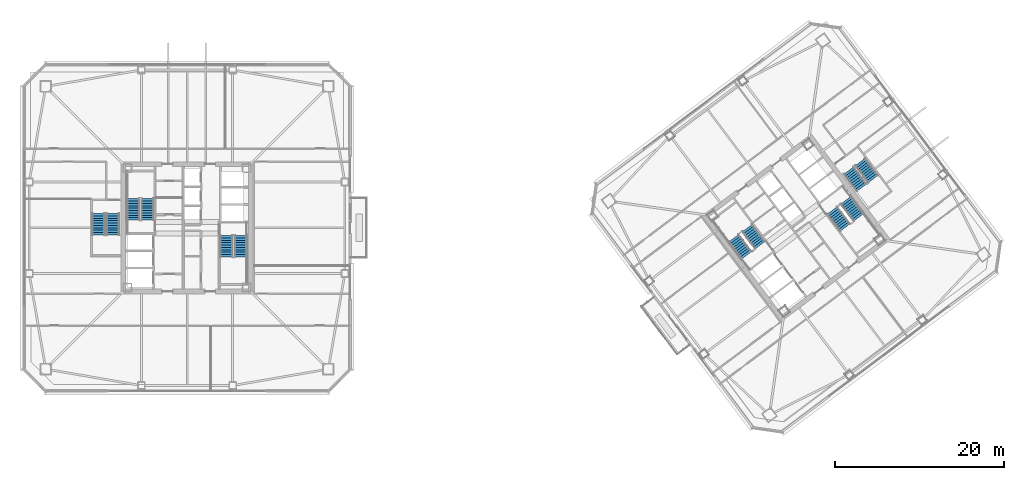
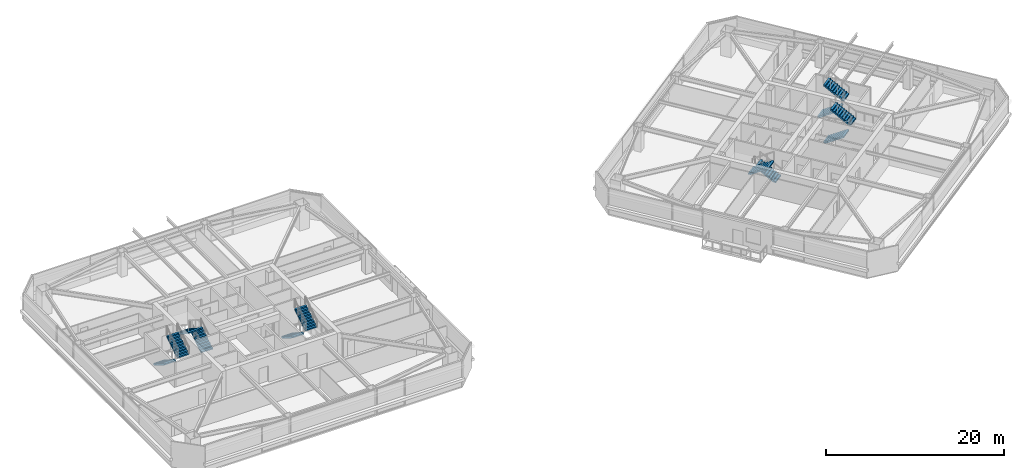
# One storey, part 34 of 40: 12 stair flights, 6 elements without a shape of their own.
"""IFC4 building model written with IfcOpenShell, lengths in metres."""

import ifcopenshell
import ifcopenshell.guid

model = None  # the IFC model being written
_history = None  # IfcOwnerHistory: only IFC2X3 demands one
_inside = {}  # id of a spatial element -> (the spatial element, [elements in it])
_under = {}  # id of a project, library or spatial element -> (it, [spatial elements below it])
_declared = {}  # id of a project -> (the project, [libraries it declares])
_typed = {}  # id of a type object -> (the type object, [elements of that type])
_made_of = {}  # id of a material, layer set ... -> (it, [elements and type objects made of it])


def new_model(schema):
    """Start an empty IFC model of exactly this schema.

    Asked for "IFC4X3", IfcOpenShell would pick the latest addendum, in which some entities
    have other attributes; the version numbers below select the first issue.
    IFC2X3 requires an IfcOwnerHistory on every rooted entity: one is made here for all.
    """
    global model, _history
    if schema == "IFC4X3":
        model = ifcopenshell.file(schema_version=(4, 3, 0, 0))
    else:
        model = ifcopenshell.file(schema=schema)
    _inside.clear()
    _under.clear()
    _declared.clear()
    _typed.clear()
    _made_of.clear()
    _history = None
    if model.schema == "IFC2X3":
        org = make("IfcOrganization", Name="unknown")
        user = make(
            "IfcPersonAndOrganization",
            ThePerson=make("IfcPerson", FamilyName="unknown"),
            TheOrganization=org,
        )
        app = make(
            "IfcApplication",
            ApplicationDeveloper=org,
            Version="unknown",
            ApplicationFullName="unknown",
            ApplicationIdentifier="unknown",
        )
        _history = make(
            "IfcOwnerHistory",
            OwningUser=user,
            OwningApplication=app,
            ChangeAction="ADDED",
            CreationDate=0,
        )
    return model


def make(cls, **values):
    """One entity of the class cls with the attributes given. An attribute that is None is left unset."""
    return model.create_entity(
        cls, **{name: value for name, value in values.items() if value is not None}
    )


def rooted(cls, **values):
    """An entity with a GlobalId (a new one), such as an element, a storey or a relation."""
    return make(cls, GlobalId=ifcopenshell.guid.new(), OwnerHistory=_history, **values)


def si_unit(unit_type, name, prefix=None):
    """IfcSIUnit, for example si_unit("LENGTHUNIT", "METRE", prefix="MILLI")."""
    return make("IfcSIUnit", UnitType=unit_type, Prefix=prefix, Name=name)


def assignment(units):
    """IfcUnitAssignment: the units of a project."""
    return None if units is None else make("IfcUnitAssignment", Units=units)


def point(xyz):
    """IfcCartesianPoint."""
    return None if xyz is None else make("IfcCartesianPoint", Coordinates=xyz)


def direction(xyz):
    """IfcDirection."""
    return None if xyz is None else make("IfcDirection", DirectionRatios=xyz)


def frame(location, z_axis=None, x_axis=None):
    """IfcAxis2Placement3D, a coordinate frame: its origin and axes. An axis left out is left unset."""
    return make(
        "IfcAxis2Placement3D",
        Location=point(location),
        Axis=direction(z_axis),
        RefDirection=direction(x_axis),
    )


def origin():
    """The frame at (0, 0, 0) with its axes left unset."""
    return frame((0.0, 0.0, 0.0))


def place(relative_to, where):
    """IfcLocalPlacement: puts the frame where relative to a parent placement (None: the world)."""
    return make(
        "IfcLocalPlacement", PlacementRelTo=relative_to, RelativePlacement=where
    )


def context(
    kind, dimensions, precision=None, world=None, true_north=None, identifier=None
):
    """IfcGeometricRepresentationContext, for example the 3D "Model" context."""
    return make(
        "IfcGeometricRepresentationContext",
        ContextIdentifier=identifier,
        ContextType=kind,
        CoordinateSpaceDimension=dimensions,
        Precision=precision,
        WorldCoordinateSystem=world,
        TrueNorth=true_north,
    )


def subcontext(parent, identifier, kind, view, scale=None):
    """IfcGeometricRepresentationSubContext, for example "Body" below "Model"."""
    return make(
        "IfcGeometricRepresentationSubContext",
        ContextIdentifier=identifier,
        ContextType=kind,
        ParentContext=parent,
        TargetScale=scale,
        TargetView=view,
    )


def project(units=None, contexts=None):
    """IfcProject with its units and contexts."""
    return rooted(
        "IfcProject",
        Name="project",
        RepresentationContexts=contexts,
        UnitsInContext=assignment(units),
    )


def spatial(cls, under=None, at=None, **own):
    """A site, building, storey or space (cls), placed at a placement, below another one or the project."""
    s = rooted(cls, ObjectPlacement=at, **own)
    if under is not None:
        _under.setdefault(under.id(), (under, []))[1].append(s)
    return s


def polyline(points):
    """IfcPolyline through the points."""
    return make("IfcPolyline", Points=[point(p) for p in points])


def outline(outer, holes=None, kind="AREA"):
    """IfcArbitraryClosedProfileDef: a profile drawn as a closed curve; with holes, ...WithVoids."""
    if holes is None:
        return make("IfcArbitraryClosedProfileDef", ProfileType=kind, OuterCurve=outer)
    return make(
        "IfcArbitraryProfileDefWithVoids",
        ProfileType=kind,
        OuterCurve=outer,
        InnerCurves=holes,
    )


def extrude(swept, where, along, depth):
    """IfcExtrudedAreaSolid: the profile swept, set in the frame where, extruded along a direction by depth."""
    return make(
        "IfcExtrudedAreaSolid",
        SweptArea=swept,
        Position=where,
        ExtrudedDirection=direction(along),
        Depth=depth,
    )


def shape(context_of_items, identifier, shape_type, items):
    """IfcShapeRepresentation: the items that make up one representation, for example the "Body"."""
    return make(
        "IfcShapeRepresentation",
        ContextOfItems=context_of_items,
        RepresentationIdentifier=identifier,
        RepresentationType=shape_type,
        Items=items,
    )


def material(Name=None, Category=None):
    """IfcMaterial."""
    return make("IfcMaterial", Name=Name, Category=Category)


def made_of(thing, what):
    """Note that an element or type object is made of a material, layer set ...; save() writes the relation."""
    if what is not None:
        _made_of.setdefault(what.id(), (what, []))[1].append(thing)
    return thing


def type_object(cls, material=None, **own):
    """A type object (cls), such as IfcWallType, which elements share."""
    return made_of(rooted(cls, **own), material)


def element(
    cls,
    number,
    at=None,
    inside=None,
    cuts=None,
    type_object=None,
    material=None,
    context=None,
    identifier="Body",
    shape_type=None,
    held_by="IfcProductDefinitionShape",
    body=None,
    shapes=None,
    **own,
):
    """One element of the class cls, such as IfcWall. Its Tag is "e" and its number.

    at: its placement. inside: the storey or other place that contains it. cuts: it is an
    opening in that element (IfcRelVoidsElement). A single representation is given by context,
    identifier, shape_type and body (its items); several are given by shapes. held_by: the class
    of the entity that holds the representations. save() writes the other relations.
    """
    e = rooted(cls, Tag="e%d" % number, ObjectPlacement=at, **own)
    if body is not None:
        shapes = [shape(context, identifier, shape_type, body)]
    if shapes is not None:
        e.Representation = make(held_by, Representations=shapes)
    if inside is not None:
        _inside.setdefault(inside.id(), (inside, []))[1].append(e)
    if cuts is not None:
        rooted(
            "IfcRelVoidsElement", RelatingBuildingElement=cuts, RelatedOpeningElement=e
        )
    if type_object is not None:
        _typed.setdefault(type_object.id(), (type_object, []))[1].append(e)
    return made_of(e, material)


def aggregate(whole, parts):
    """IfcRelAggregates: a whole, such as a stair, and the parts it consists of."""
    return rooted("IfcRelAggregates", RelatingObject=whole, RelatedObjects=parts)


def save(model, path):
    """Write the relations noted so far, then the file.

    IfcRelAggregates (storeys below a building ...), IfcRelContainedInSpatialStructure (elements
    in a storey), IfcRelDefinesByType, IfcRelAssociatesMaterial and IfcRelDeclares: one each for
    every whole, place, type object, material and project.
    """
    for whole, parts in _under.values():
        aggregate(whole, parts)
    for where, things in _inside.values():
        rooted(
            "IfcRelContainedInSpatialStructure",
            RelatedElements=things,
            RelatingStructure=where,
        )
    for kind, things in _typed.values():
        rooted("IfcRelDefinesByType", RelatedObjects=things, RelatingType=kind)
    for what, things in _made_of.values():
        rooted("IfcRelAssociatesMaterial", RelatedObjects=things, RelatingMaterial=what)
    for by, libraries in _declared.values():
        rooted("IfcRelDeclares", RelatingContext=by, RelatedDefinitions=libraries)
    model.write(path)


model = new_model("IFC4")

# Units and contexts
model_context = context("Model", 3, precision=1e-05, world=origin(), true_north=direction((0.0, 1.0)))
body_context = subcontext(model_context, "Body", "Model", "MODEL_VIEW")
ifc_project = project(units=[si_unit("LENGTHUNIT", "METRE"), si_unit("AREAUNIT", "SQUARE_METRE"), si_unit("VOLUMEUNIT", "CUBIC_METRE"), si_unit("PLANEANGLEUNIT", "RADIAN"), si_unit("MASSUNIT", "GRAM", prefix="KILO")], contexts=[model_context])

# Site, building, storey
site_placement = place(None, origin())
site = spatial("IfcSite", under=ifc_project, at=site_placement, CompositionType="ELEMENT")
building_placement = place(site_placement, origin())
building = spatial("IfcBuilding", under=site, at=building_placement, Name="Tashvorn Skyway Center", CompositionType="ELEMENT")
storey_placement = place(building_placement, frame((0.0, 0.0, 142.800048828125)))
storey = spatial("IfcBuildingStorey", under=building, at=storey_placement, Name="L38", CompositionType="ELEMENT", Elevation=142.800048828125)

# Stair, stair flights
ifc_material = material(Name="Concrete C40/50", Category="concrete")
stair_type = type_object("IfcStairType", Name="STAIR-CORE-1500", PredefinedType="HALF_TURN_STAIR", material=ifc_material)
stair_1_placement = place(storey_placement, origin())
stair_1 = element("IfcStair", 1, at=stair_1_placement, inside=storey, type_object=stair_type, Name="L38 Tower 1 Exit Stair 1", PredefinedType="HALF_TURN_STAIR")
stair_flight_type = type_object("IfcStairFlightType", Name="SFLIGHT-1500", PredefinedType="STRAIGHT", material=ifc_material)
stair_flight_1_placement = place(storey_placement, frame((37.35009765625, 32.919921875, 0.0), z_axis=(0.0, 0.0, 1.0), x_axis=(0.0, 1.0, 0.0)))
stair_flight_1 = element("IfcStairFlight", 2, at=stair_flight_1_placement, type_object=stair_flight_type, Name="ST-T1-1 flight 1", NumberOfRisers=10, NumberOfTreads=9, PredefinedType="STRAIGHT", RiserHeight=0.1775, TreadLength=0.28, context=body_context, shape_type="SweptSolid", body=[
    extrude(outline(polyline([(0.0, 0.0), (0.0, 0.177490234375), (0.280029296875, 0.177490234375), (0.280029296875, 0.35498046875), (0.56005859375, 0.35498046875), (0.56005859375, 0.532470703125), (0.840087890625, 0.532470703125), (0.840087890625, 0.7099609375), (1.1201171875, 0.7099609375), (1.1201171875, 0.887451171875), (1.39990234375, 0.887451171875), (1.39990234375, 1.06494140625), (1.679931640625, 1.06494140625), (1.679931640625, 1.242431640625), (1.9599609375, 1.242431640625), (1.9599609375, 1.419921875), (2.239990234375, 1.419921875), (2.239990234375, 1.597412109375), (2.52001953125, 1.597412109375), (2.52001953125, 1.77490234375), (2.52001953125, 1.419921875), (0.280029296875, 0.0), (0.0, 0.0)])), frame((0.0, 0.75, 0.0), z_axis=(0.0, -1.0, 0.0), x_axis=(1.0, 0.0, 0.0)), (0.0, 0.0, 1.0), 1.5),
])
stair_flight_2_placement = place(storey_placement, frame((35.64990234375, 35.43994140625, 1.77490234375), z_axis=(0.0, 0.0, 1.0), x_axis=(0.0, -1.0, 0.0)))
stair_flight_2 = element("IfcStairFlight", 3, at=stair_flight_2_placement, type_object=stair_flight_type, Name="ST-T1-1 flight 2", NumberOfRisers=10, NumberOfTreads=9, PredefinedType="STRAIGHT", RiserHeight=0.1775, TreadLength=0.28, context=body_context, shape_type="SweptSolid", body=[
    extrude(outline(polyline([(0.0, 0.0), (0.0, 0.177490234375), (0.280029296875, 0.177490234375), (0.280029296875, 0.35498046875), (0.56005859375, 0.35498046875), (0.56005859375, 0.532470703125), (0.840087890625, 0.532470703125), (0.840087890625, 0.7099609375), (1.1201171875, 0.7099609375), (1.1201171875, 0.887451171875), (1.39990234375, 0.887451171875), (1.39990234375, 1.06494140625), (1.679931640625, 1.06494140625), (1.679931640625, 1.242431640625), (1.9599609375, 1.242431640625), (1.9599609375, 1.419921875), (2.239990234375, 1.419921875), (2.239990234375, 1.597412109375), (2.52001953125, 1.597412109375), (2.52001953125, 1.77490234375), (2.52001953125, 1.419921875), (0.280029296875, 0.0), (0.0, 0.0)])), frame((0.0, 0.75, 0.0), z_axis=(0.0, -1.0, 0.0), x_axis=(1.0, 0.0, 0.0)), (0.0, 0.0, 1.0), 1.5),
])
aggregate(stair_1, [stair_flight_1, stair_flight_2])

stair_2_placement = place(storey_placement, origin())
stair_2 = element("IfcStair", 4, at=stair_2_placement, inside=storey, type_object=stair_type, Name="L38 Tower 1 Exit Stair 2", PredefinedType="HALF_TURN_STAIR")
stair_flight_3_placement = place(storey_placement, frame((46.64990234375, 31.080078125, 0.0), z_axis=(0.0, 0.0, 1.0), x_axis=(0.0, -1.0, 0.0)))
stair_flight_3 = element("IfcStairFlight", 5, at=stair_flight_3_placement, type_object=stair_flight_type, Name="ST-T1-2 flight 1", NumberOfRisers=10, NumberOfTreads=9, PredefinedType="STRAIGHT", RiserHeight=0.1775, TreadLength=0.28, context=body_context, shape_type="SweptSolid", body=[
    extrude(outline(polyline([(0.0, 0.0), (0.0, 0.177490234375), (0.280029296875, 0.177490234375), (0.280029296875, 0.35498046875), (0.56005859375, 0.35498046875), (0.56005859375, 0.532470703125), (0.840087890625, 0.532470703125), (0.840087890625, 0.7099609375), (1.1201171875, 0.7099609375), (1.1201171875, 0.887451171875), (1.39990234375, 0.887451171875), (1.39990234375, 1.06494140625), (1.679931640625, 1.06494140625), (1.679931640625, 1.242431640625), (1.9599609375, 1.242431640625), (1.9599609375, 1.419921875), (2.239990234375, 1.419921875), (2.239990234375, 1.597412109375), (2.52001953125, 1.597412109375), (2.52001953125, 1.77490234375), (2.52001953125, 1.419921875), (0.280029296875, 0.0), (0.0, 0.0)])), frame((0.0, 0.75, 0.0), z_axis=(0.0, -1.0, 0.0), x_axis=(1.0, 0.0, 0.0)), (0.0, 0.0, 1.0), 1.5),
])
stair_flight_4_placement = place(storey_placement, frame((48.35009765625, 28.56005859375, 1.77490234375), z_axis=(0.0, 0.0, 1.0), x_axis=(0.0, 1.0, 0.0)))
stair_flight_4 = element("IfcStairFlight", 6, at=stair_flight_4_placement, type_object=stair_flight_type, Name="ST-T1-2 flight 2", NumberOfRisers=10, NumberOfTreads=9, PredefinedType="STRAIGHT", RiserHeight=0.1775, TreadLength=0.28, context=body_context, shape_type="SweptSolid", body=[
    extrude(outline(polyline([(0.0, 0.0), (0.0, 0.177490234375), (0.280029296875, 0.177490234375), (0.280029296875, 0.35498046875), (0.56005859375, 0.35498046875), (0.56005859375, 0.532470703125), (0.840087890625, 0.532470703125), (0.840087890625, 0.7099609375), (1.1201171875, 0.7099609375), (1.1201171875, 0.887451171875), (1.39990234375, 0.887451171875), (1.39990234375, 1.06494140625), (1.679931640625, 1.06494140625), (1.679931640625, 1.242431640625), (1.9599609375, 1.242431640625), (1.9599609375, 1.419921875), (2.239990234375, 1.419921875), (2.239990234375, 1.597412109375), (2.52001953125, 1.597412109375), (2.52001953125, 1.77490234375), (2.52001953125, 1.419921875), (0.280029296875, 0.0), (0.0, 0.0)])), frame((0.0, 0.75, 0.0), z_axis=(0.0, -1.0, 0.0), x_axis=(1.0, 0.0, 0.0)), (0.0, 0.0, 1.0), 1.5),
])
aggregate(stair_2, [stair_flight_3, stair_flight_4])

stair_3_placement = place(storey_placement, origin())
stair_3 = element("IfcStair", 7, at=stair_3_placement, inside=storey, type_object=stair_type, Name="L38 Tower 2 Exit Stair 1", PredefinedType="HALF_TURN_STAIR")
stair_flight_5_placement = place(storey_placement, frame((109.72802734375, 29.946044921875, 0.0), z_axis=(0.0, 0.0, 1.0), x_axis=(-0.600000004945, 0.799999996291, 0.0)))
stair_flight_5 = element("IfcStairFlight", 8, at=stair_flight_5_placement, type_object=stair_flight_type, Name="ST-T2-1 flight 1", NumberOfRisers=10, NumberOfTreads=9, PredefinedType="STRAIGHT", RiserHeight=0.1775, TreadLength=0.28, context=body_context, shape_type="SweptSolid", body=[
    extrude(outline(polyline([(0.0, 0.0), (0.0, 0.177490234375), (0.280029296875, 0.177490234375), (0.280029296875, 0.35498046875), (0.56005859375, 0.35498046875), (0.56005859375, 0.532470703125), (0.840087890625, 0.532470703125), (0.840087890625, 0.7099609375), (1.1201171875, 0.7099609375), (1.1201171875, 0.887451171875), (1.39990234375, 0.887451171875), (1.39990234375, 1.06494140625), (1.679931640625, 1.06494140625), (1.679931640625, 1.242431640625), (1.9599609375, 1.242431640625), (1.9599609375, 1.419921875), (2.239990234375, 1.419921875), (2.239990234375, 1.597412109375), (2.52001953125, 1.597412109375), (2.52001953125, 1.77490234375), (2.52001953125, 1.419921875), (0.280029296875, 0.0), (0.0, 0.0)])), frame((0.0, 0.75, 0.0), z_axis=(0.0, -1.0, 0.0), x_axis=(1.0, 0.0, 0.0)), (0.0, 0.0, 1.0), 1.5),
])
stair_flight_6_placement = place(storey_placement, frame((106.632080078125, 30.77392578125, 1.77490234375), z_axis=(0.0, 0.0, 1.0), x_axis=(0.600000004945, -0.799999996291, 0.0)))
stair_flight_6 = element("IfcStairFlight", 9, at=stair_flight_6_placement, type_object=stair_flight_type, Name="ST-T2-1 flight 2", NumberOfRisers=10, NumberOfTreads=9, PredefinedType="STRAIGHT", RiserHeight=0.1775, TreadLength=0.28, context=body_context, shape_type="SweptSolid", body=[
    extrude(outline(polyline([(0.0, 0.0), (0.0, 0.177490234375), (0.280029296875, 0.177490234375), (0.280029296875, 0.35498046875), (0.56005859375, 0.35498046875), (0.56005859375, 0.532470703125), (0.840087890625, 0.532470703125), (0.840087890625, 0.7099609375), (1.1201171875, 0.7099609375), (1.1201171875, 0.887451171875), (1.39990234375, 0.887451171875), (1.39990234375, 1.06494140625), (1.679931640625, 1.06494140625), (1.679931640625, 1.242431640625), (1.9599609375, 1.242431640625), (1.9599609375, 1.419921875), (2.239990234375, 1.419921875), (2.239990234375, 1.597412109375), (2.52001953125, 1.597412109375), (2.52001953125, 1.77490234375), (2.52001953125, 1.419921875), (0.280029296875, 0.0), (0.0, 0.0)])), frame((0.0, 0.75, 0.0), z_axis=(0.0, -1.0, 0.0), x_axis=(1.0, 0.0, 0.0)), (0.0, 0.0, 1.0), 1.5),
])
aggregate(stair_3, [stair_flight_5, stair_flight_6])

stair_4_placement = place(storey_placement, origin())
stair_4 = element("IfcStair", 10, at=stair_4_placement, inside=storey, type_object=stair_type, Name="L38 Tower 2 Exit Stair 2", PredefinedType="HALF_TURN_STAIR")
stair_flight_7_placement = place(storey_placement, frame((118.27197265625, 34.053955078125, 0.0), z_axis=(0.0, 0.0, 1.0), x_axis=(0.600000004945, -0.799999996291, 0.0)))
stair_flight_7 = element("IfcStairFlight", 11, at=stair_flight_7_placement, type_object=stair_flight_type, Name="ST-T2-2 flight 1", NumberOfRisers=10, NumberOfTreads=9, PredefinedType="STRAIGHT", RiserHeight=0.1775, TreadLength=0.28, context=body_context, shape_type="SweptSolid", body=[
    extrude(outline(polyline([(0.0, 0.0), (0.0, 0.177490234375), (0.280029296875, 0.177490234375), (0.280029296875, 0.35498046875), (0.56005859375, 0.35498046875), (0.56005859375, 0.532470703125), (0.840087890625, 0.532470703125), (0.840087890625, 0.7099609375), (1.1201171875, 0.7099609375), (1.1201171875, 0.887451171875), (1.39990234375, 0.887451171875), (1.39990234375, 1.06494140625), (1.679931640625, 1.06494140625), (1.679931640625, 1.242431640625), (1.9599609375, 1.242431640625), (1.9599609375, 1.419921875), (2.239990234375, 1.419921875), (2.239990234375, 1.597412109375), (2.52001953125, 1.597412109375), (2.52001953125, 1.77490234375), (2.52001953125, 1.419921875), (0.280029296875, 0.0), (0.0, 0.0)])), frame((0.0, 0.75, 0.0), z_axis=(0.0, -1.0, 0.0), x_axis=(1.0, 0.0, 0.0)), (0.0, 0.0, 1.0), 1.5),
])
stair_flight_8_placement = place(storey_placement, frame((121.367919921875, 33.22607421875, 1.77490234375), z_axis=(0.0, 0.0, 1.0), x_axis=(-0.600000004945, 0.799999996291, 0.0)))
stair_flight_8 = element("IfcStairFlight", 12, at=stair_flight_8_placement, type_object=stair_flight_type, Name="ST-T2-2 flight 2", NumberOfRisers=10, NumberOfTreads=9, PredefinedType="STRAIGHT", RiserHeight=0.1775, TreadLength=0.28, context=body_context, shape_type="SweptSolid", body=[
    extrude(outline(polyline([(0.0, 0.0), (0.0, 0.177490234375), (0.280029296875, 0.177490234375), (0.280029296875, 0.35498046875), (0.56005859375, 0.35498046875), (0.56005859375, 0.532470703125), (0.840087890625, 0.532470703125), (0.840087890625, 0.7099609375), (1.1201171875, 0.7099609375), (1.1201171875, 0.887451171875), (1.39990234375, 0.887451171875), (1.39990234375, 1.06494140625), (1.679931640625, 1.06494140625), (1.679931640625, 1.242431640625), (1.9599609375, 1.242431640625), (1.9599609375, 1.419921875), (2.239990234375, 1.419921875), (2.239990234375, 1.597412109375), (2.52001953125, 1.597412109375), (2.52001953125, 1.77490234375), (2.52001953125, 1.419921875), (0.280029296875, 0.0), (0.0, 0.0)])), frame((0.0, 0.75, 0.0), z_axis=(0.0, -1.0, 0.0), x_axis=(1.0, 0.0, 0.0)), (0.0, 0.0, 1.0), 1.5),
])
aggregate(stair_4, [stair_flight_7, stair_flight_8])

stair_5_placement = place(storey_placement, origin())
stair_5 = element("IfcStair", 13, at=stair_5_placement, inside=storey, type_object=stair_type, Name="L38 Tower 1 Exit Stair 3", PredefinedType="HALF_TURN_STAIR")
stair_flight_9_placement = place(storey_placement, frame((31.550048828125, 33.679931640625, 0.0), z_axis=(0.0, 0.0, 1.0), x_axis=(0.0, -1.0, 0.0)))
stair_flight_9 = element("IfcStairFlight", 14, at=stair_flight_9_placement, type_object=stair_flight_type, Name="ST-T1-3 flight 1", NumberOfRisers=10, NumberOfTreads=9, PredefinedType="STRAIGHT", RiserHeight=0.1775, TreadLength=0.28, context=body_context, shape_type="SweptSolid", body=[
    extrude(outline(polyline([(0.0, 0.0), (0.0, 0.177490234375), (0.280029296875, 0.177490234375), (0.280029296875, 0.35498046875), (0.56005859375, 0.35498046875), (0.56005859375, 0.532470703125), (0.840087890625, 0.532470703125), (0.840087890625, 0.7099609375), (1.1201171875, 0.7099609375), (1.1201171875, 0.887451171875), (1.39990234375, 0.887451171875), (1.39990234375, 1.06494140625), (1.679931640625, 1.06494140625), (1.679931640625, 1.242431640625), (1.9599609375, 1.242431640625), (1.9599609375, 1.419921875), (2.239990234375, 1.419921875), (2.239990234375, 1.597412109375), (2.52001953125, 1.597412109375), (2.52001953125, 1.77490234375), (2.52001953125, 1.419921875), (0.280029296875, 0.0), (0.0, 0.0)])), frame((0.0, 0.75, 0.0), z_axis=(0.0, -1.0, 0.0), x_axis=(1.0, 0.0, 0.0)), (0.0, 0.0, 1.0), 1.5),
])
stair_flight_10_placement = place(storey_placement, frame((33.25, 31.159912109375, 1.77490234375), z_axis=(0.0, 0.0, 1.0), x_axis=(0.0, 1.0, 0.0)))
stair_flight_10 = element("IfcStairFlight", 15, at=stair_flight_10_placement, type_object=stair_flight_type, Name="ST-T1-3 flight 2", NumberOfRisers=10, NumberOfTreads=9, PredefinedType="STRAIGHT", RiserHeight=0.1775, TreadLength=0.28, context=body_context, shape_type="SweptSolid", body=[
    extrude(outline(polyline([(0.0, 0.0), (0.0, 0.177490234375), (0.280029296875, 0.177490234375), (0.280029296875, 0.35498046875), (0.56005859375, 0.35498046875), (0.56005859375, 0.532470703125), (0.840087890625, 0.532470703125), (0.840087890625, 0.7099609375), (1.1201171875, 0.7099609375), (1.1201171875, 0.887451171875), (1.39990234375, 0.887451171875), (1.39990234375, 1.06494140625), (1.679931640625, 1.06494140625), (1.679931640625, 1.242431640625), (1.9599609375, 1.242431640625), (1.9599609375, 1.419921875), (2.239990234375, 1.419921875), (2.239990234375, 1.597412109375), (2.52001953125, 1.597412109375), (2.52001953125, 1.77490234375), (2.52001953125, 1.419921875), (0.280029296875, 0.0), (0.0, 0.0)])), frame((0.0, 0.75, 0.0), z_axis=(0.0, -1.0, 0.0), x_axis=(1.0, 0.0, 0.0)), (0.0, 0.0, 1.0), 1.5),
])
aggregate(stair_5, [stair_flight_9, stair_flight_10])

stair_6_placement = place(storey_placement, origin())
stair_6 = element("IfcStair", 16, at=stair_6_placement, inside=storey, type_object=stair_type, Name="L38 Tower 2 Exit Stair 3", PredefinedType="HALF_TURN_STAIR")
stair_flight_11_placement = place(storey_placement, frame((120.216064453125, 38.761962890625, 0.0), z_axis=(0.0, 0.0, 1.0), x_axis=(0.600000004945, -0.799999996291, 0.0)))
stair_flight_11 = element("IfcStairFlight", 17, at=stair_flight_11_placement, type_object=stair_flight_type, Name="ST-T2-3 flight 1", NumberOfRisers=10, NumberOfTreads=9, PredefinedType="STRAIGHT", RiserHeight=0.1775, TreadLength=0.28, context=body_context, shape_type="SweptSolid", body=[
    extrude(outline(polyline([(0.0, 0.0), (0.0, 0.177490234375), (0.280029296875, 0.177490234375), (0.280029296875, 0.35498046875), (0.56005859375, 0.35498046875), (0.56005859375, 0.532470703125), (0.840087890625, 0.532470703125), (0.840087890625, 0.7099609375), (1.1201171875, 0.7099609375), (1.1201171875, 0.887451171875), (1.39990234375, 0.887451171875), (1.39990234375, 1.06494140625), (1.679931640625, 1.06494140625), (1.679931640625, 1.242431640625), (1.9599609375, 1.242431640625), (1.9599609375, 1.419921875), (2.239990234375, 1.419921875), (2.239990234375, 1.597412109375), (2.52001953125, 1.597412109375), (2.52001953125, 1.77490234375), (2.52001953125, 1.419921875), (0.280029296875, 0.0), (0.0, 0.0)])), frame((0.0, 0.75, 0.0), z_axis=(0.0, -1.0, 0.0), x_axis=(1.0, 0.0, 0.0)), (0.0, 0.0, 1.0), 1.5),
])
stair_flight_12_placement = place(storey_placement, frame((123.087890625, 37.76611328125, 1.77490234375), z_axis=(0.0, 0.0, 1.0), x_axis=(-0.600000004945, 0.799999996291, 0.0)))
stair_flight_12 = element("IfcStairFlight", 18, at=stair_flight_12_placement, type_object=stair_flight_type, Name="ST-T2-3 flight 2", NumberOfRisers=10, NumberOfTreads=9, PredefinedType="STRAIGHT", RiserHeight=0.1775, TreadLength=0.28, context=body_context, shape_type="SweptSolid", body=[
    extrude(outline(polyline([(0.0, 0.0), (0.0, 0.177490234375), (0.280029296875, 0.177490234375), (0.280029296875, 0.35498046875), (0.56005859375, 0.35498046875), (0.56005859375, 0.532470703125), (0.840087890625, 0.532470703125), (0.840087890625, 0.7099609375), (1.1201171875, 0.7099609375), (1.1201171875, 0.887451171875), (1.39990234375, 0.887451171875), (1.39990234375, 1.06494140625), (1.679931640625, 1.06494140625), (1.679931640625, 1.242431640625), (1.9599609375, 1.242431640625), (1.9599609375, 1.419921875), (2.239990234375, 1.419921875), (2.239990234375, 1.597412109375), (2.52001953125, 1.597412109375), (2.52001953125, 1.77490234375), (2.52001953125, 1.419921875), (0.280029296875, 0.0), (0.0, 0.0)])), frame((0.0, 0.75, 0.0), z_axis=(0.0, -1.0, 0.0), x_axis=(1.0, 0.0, 0.0)), (0.0, 0.0, 1.0), 1.5),
])
aggregate(stair_6, [stair_flight_11, stair_flight_12])

save(model, "model.ifc")
